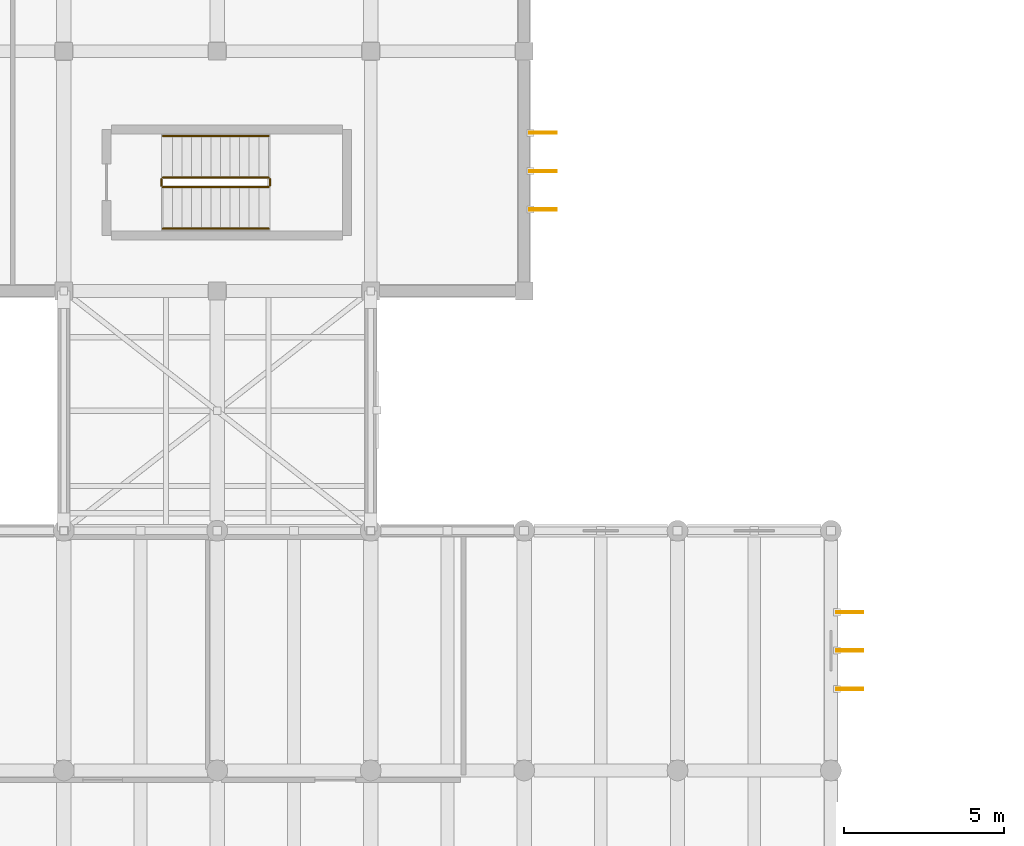
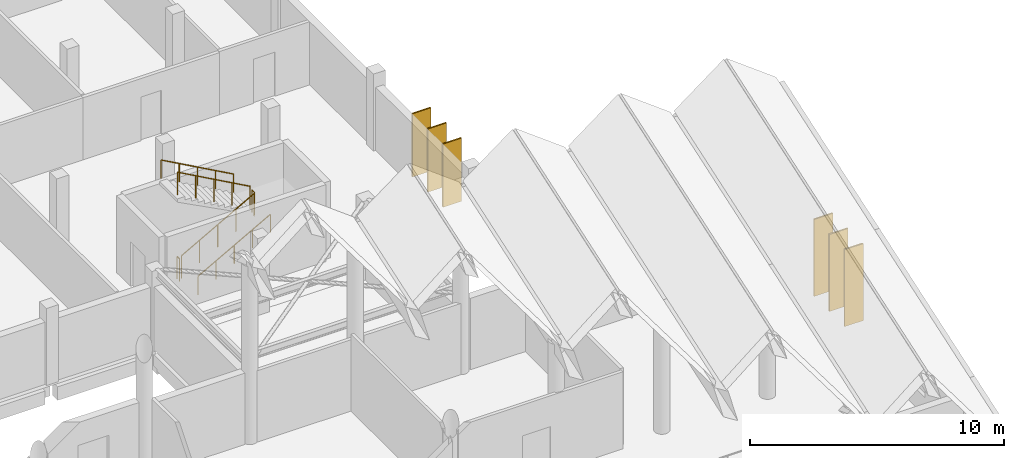
# One storey, part 45 of 47: 6 railings, 6 shading devices.
"""IFC4 building model written with IfcOpenShell, lengths in metres."""

import ifcopenshell
import ifcopenshell.guid

model = None  # the IFC model being written
_history = None  # IfcOwnerHistory: only IFC2X3 demands one
_inside = {}  # id of a spatial element -> (the spatial element, [elements in it])
_under = {}  # id of a project, library or spatial element -> (it, [spatial elements below it])
_declared = {}  # id of a project -> (the project, [libraries it declares])
_typed = {}  # id of a type object -> (the type object, [elements of that type])
_made_of = {}  # id of a material, layer set ... -> (it, [elements and type objects made of it])


def new_model(schema):
    """Start an empty IFC model of exactly this schema.

    Asked for "IFC4X3", IfcOpenShell would pick the latest addendum, in which some entities
    have other attributes; the version numbers below select the first issue.
    IFC2X3 requires an IfcOwnerHistory on every rooted entity: one is made here for all.
    """
    global model, _history
    if schema == "IFC4X3":
        model = ifcopenshell.file(schema_version=(4, 3, 0, 0))
    else:
        model = ifcopenshell.file(schema=schema)
    _inside.clear()
    _under.clear()
    _declared.clear()
    _typed.clear()
    _made_of.clear()
    _history = None
    if model.schema == "IFC2X3":
        org = make("IfcOrganization", Name="unknown")
        user = make(
            "IfcPersonAndOrganization",
            ThePerson=make("IfcPerson", FamilyName="unknown"),
            TheOrganization=org,
        )
        app = make(
            "IfcApplication",
            ApplicationDeveloper=org,
            Version="unknown",
            ApplicationFullName="unknown",
            ApplicationIdentifier="unknown",
        )
        _history = make(
            "IfcOwnerHistory",
            OwningUser=user,
            OwningApplication=app,
            ChangeAction="ADDED",
            CreationDate=0,
        )
    return model


def make(cls, **values):
    """One entity of the class cls with the attributes given. An attribute that is None is left unset."""
    return model.create_entity(
        cls, **{name: value for name, value in values.items() if value is not None}
    )


def rooted(cls, **values):
    """An entity with a GlobalId (a new one), such as an element, a storey or a relation."""
    return make(cls, GlobalId=ifcopenshell.guid.new(), OwnerHistory=_history, **values)


def si_unit(unit_type, name, prefix=None):
    """IfcSIUnit, for example si_unit("LENGTHUNIT", "METRE", prefix="MILLI")."""
    return make("IfcSIUnit", UnitType=unit_type, Prefix=prefix, Name=name)


def assignment(units):
    """IfcUnitAssignment: the units of a project."""
    return None if units is None else make("IfcUnitAssignment", Units=units)


def point(xyz):
    """IfcCartesianPoint."""
    return None if xyz is None else make("IfcCartesianPoint", Coordinates=xyz)


def direction(xyz):
    """IfcDirection."""
    return None if xyz is None else make("IfcDirection", DirectionRatios=xyz)


def frame(location, z_axis=None, x_axis=None):
    """IfcAxis2Placement3D, a coordinate frame: its origin and axes. An axis left out is left unset."""
    return make(
        "IfcAxis2Placement3D",
        Location=point(location),
        Axis=direction(z_axis),
        RefDirection=direction(x_axis),
    )


def frame_2d(location, x_axis=None):
    """IfcAxis2Placement2D, a coordinate frame in the plane: its origin and x axis."""
    return make(
        "IfcAxis2Placement2D", Location=point(location), RefDirection=direction(x_axis)
    )


def origin():
    """The frame at (0, 0, 0) with its axes left unset."""
    return frame((0.0, 0.0, 0.0))


def origin_2d():
    """The frame at (0, 0) in the plane with its x axis left unset."""
    return frame_2d((0.0, 0.0))


def place(relative_to, where):
    """IfcLocalPlacement: puts the frame where relative to a parent placement (None: the world)."""
    return make(
        "IfcLocalPlacement", PlacementRelTo=relative_to, RelativePlacement=where
    )


def context(
    kind, dimensions, precision=None, world=None, true_north=None, identifier=None
):
    """IfcGeometricRepresentationContext, for example the 3D "Model" context."""
    return make(
        "IfcGeometricRepresentationContext",
        ContextIdentifier=identifier,
        ContextType=kind,
        CoordinateSpaceDimension=dimensions,
        Precision=precision,
        WorldCoordinateSystem=world,
        TrueNorth=true_north,
    )


def subcontext(parent, identifier, kind, view, scale=None):
    """IfcGeometricRepresentationSubContext, for example "Body" below "Model"."""
    return make(
        "IfcGeometricRepresentationSubContext",
        ContextIdentifier=identifier,
        ContextType=kind,
        ParentContext=parent,
        TargetScale=scale,
        TargetView=view,
    )


def project(units=None, contexts=None):
    """IfcProject with its units and contexts."""
    return rooted(
        "IfcProject",
        Name="project",
        RepresentationContexts=contexts,
        UnitsInContext=assignment(units),
    )


def spatial(cls, under=None, at=None, **own):
    """A site, building, storey or space (cls), placed at a placement, below another one or the project."""
    s = rooted(cls, ObjectPlacement=at, **own)
    if under is not None:
        _under.setdefault(under.id(), (under, []))[1].append(s)
    return s


def profile(cls, at=None, kind="AREA", **sizes):
    """A parametric profile (cls). Its sizes go by their IFC names, for example OverallWidth=200.0."""
    return make(cls, ProfileType=kind, Position=at, **sizes)


def hollow_rectangle(**sizes):
    """IfcRectangleHollowProfileDef."""
    return profile("IfcRectangleHollowProfileDef", **sizes)


def circle(**sizes):
    """IfcCircleProfileDef."""
    return profile("IfcCircleProfileDef", **sizes)


def extrude(swept, where, along, depth):
    """IfcExtrudedAreaSolid: the profile swept, set in the frame where, extruded along a direction by depth."""
    return make(
        "IfcExtrudedAreaSolid",
        SweptArea=swept,
        Position=where,
        ExtrudedDirection=direction(along),
        Depth=depth,
    )


def shape(context_of_items, identifier, shape_type, items):
    """IfcShapeRepresentation: the items that make up one representation, for example the "Body"."""
    return make(
        "IfcShapeRepresentation",
        ContextOfItems=context_of_items,
        RepresentationIdentifier=identifier,
        RepresentationType=shape_type,
        Items=items,
    )


def material(Name=None, Category=None):
    """IfcMaterial."""
    return make("IfcMaterial", Name=Name, Category=Category)


def material_profile(
    of_material, cross_section, Name=None, Category=None, Priority=None
):
    """IfcMaterialProfile: a cross section and its material."""
    return make(
        "IfcMaterialProfile",
        Name=Name,
        Material=of_material,
        Profile=cross_section,
        Priority=Priority,
        Category=Category,
    )


def profile_set(profiles, Name=None, composite=None):
    """IfcMaterialProfileSet."""
    return make(
        "IfcMaterialProfileSet",
        Name=Name,
        MaterialProfiles=profiles,
        CompositeProfile=composite,
    )


def made_of(thing, what):
    """Note that an element or type object is made of a material, layer set ...; save() writes the relation."""
    if what is not None:
        _made_of.setdefault(what.id(), (what, []))[1].append(thing)
    return thing


def type_object(cls, material=None, **own):
    """A type object (cls), such as IfcWallType, which elements share."""
    return made_of(rooted(cls, **own), material)


def element(
    cls,
    number,
    at=None,
    inside=None,
    cuts=None,
    type_object=None,
    material=None,
    context=None,
    identifier="Body",
    shape_type=None,
    held_by="IfcProductDefinitionShape",
    body=None,
    shapes=None,
    **own,
):
    """One element of the class cls, such as IfcWall. Its Tag is "e" and its number.

    at: its placement. inside: the storey or other place that contains it. cuts: it is an
    opening in that element (IfcRelVoidsElement). A single representation is given by context,
    identifier, shape_type and body (its items); several are given by shapes. held_by: the class
    of the entity that holds the representations. save() writes the other relations.
    """
    e = rooted(cls, Tag="e%d" % number, ObjectPlacement=at, **own)
    if body is not None:
        shapes = [shape(context, identifier, shape_type, body)]
    if shapes is not None:
        e.Representation = make(held_by, Representations=shapes)
    if inside is not None:
        _inside.setdefault(inside.id(), (inside, []))[1].append(e)
    if cuts is not None:
        rooted(
            "IfcRelVoidsElement", RelatingBuildingElement=cuts, RelatedOpeningElement=e
        )
    if type_object is not None:
        _typed.setdefault(type_object.id(), (type_object, []))[1].append(e)
    return made_of(e, material)


def aggregate(whole, parts):
    """IfcRelAggregates: a whole, such as a stair, and the parts it consists of."""
    return rooted("IfcRelAggregates", RelatingObject=whole, RelatedObjects=parts)


def save(model, path):
    """Write the relations noted so far, then the file.

    IfcRelAggregates (storeys below a building ...), IfcRelContainedInSpatialStructure (elements
    in a storey), IfcRelDefinesByType, IfcRelAssociatesMaterial and IfcRelDeclares: one each for
    every whole, place, type object, material and project.
    """
    for whole, parts in _under.values():
        aggregate(whole, parts)
    for where, things in _inside.values():
        rooted(
            "IfcRelContainedInSpatialStructure",
            RelatedElements=things,
            RelatingStructure=where,
        )
    for kind, things in _typed.values():
        rooted("IfcRelDefinesByType", RelatedObjects=things, RelatingType=kind)
    for what, things in _made_of.values():
        rooted("IfcRelAssociatesMaterial", RelatedObjects=things, RelatingMaterial=what)
    for by, libraries in _declared.values():
        rooted("IfcRelDeclares", RelatingContext=by, RelatedDefinitions=libraries)
    model.write(path)


model = new_model("IFC4")

# Units and contexts
model_context = context("Model", 3, precision=1e-05, world=origin(), true_north=direction((0.0, 1.0)))
body_context = subcontext(model_context, "Body", "Model", "MODEL_VIEW")
ifc_project = project(units=[si_unit("LENGTHUNIT", "METRE"), si_unit("AREAUNIT", "SQUARE_METRE"), si_unit("VOLUMEUNIT", "CUBIC_METRE"), si_unit("PLANEANGLEUNIT", "RADIAN"), si_unit("MASSUNIT", "GRAM", prefix="KILO")], contexts=[model_context])

# Site, building, storey
site_placement = place(None, origin())
site = spatial("IfcSite", under=ifc_project, at=site_placement, CompositionType="ELEMENT")
building_placement = place(site_placement, origin())
building = spatial("IfcBuilding", under=site, at=building_placement, Name="Mawjan Specialist Oncology Clinic", CompositionType="ELEMENT")
storey_placement = place(building_placement, frame((0.0, 0.0, 9.5)))
storey = spatial("IfcBuildingStorey", under=building, at=storey_placement, Name="L02", CompositionType="ELEMENT", Elevation=9.5)

# Railings
ifc_material_1 = material(Name="Powder-coated steel stair guard with vertical infill pickets", Category="steel")
railing_type_1 = type_object("IfcRailingType", Name="GR-110", PredefinedType="GUARDRAIL", material=ifc_material_1)
railing_1_placement = place(storey_placement, frame((87.10009765625, 86.550048828125, 0.166748046875)))
element("IfcRailing", 1, at=railing_1_placement, inside=storey, type_object=railing_type_1, Name="L02 ST-04 stair guard 1", PredefinedType="GUARDRAIL", context=body_context, shape_type="SweptSolid", body=[
    extrude(circle(Radius=0.02392578125, at=origin_2d()), frame((0.0, 0.0, 1.076171875), z_axis=(0.874154225373, 0.0, 0.485648422486), x_axis=(0.0, 1.0, 0.0)), (0.0, 0.0, 1.0), 3.77490234375),
    extrude(circle(Radius=0.02099609375, at=origin_2d()), origin(), (0.0, 0.0, 1.0), 1.052001953125),
    extrude(circle(Radius=0.02099609375, at=origin_2d()), frame((0.824951171875, 0.0, 0.458251953125)), (0.0, 0.0, 1.0), 1.052001953125),
    extrude(circle(Radius=0.02099609375, at=origin_2d()), frame((1.64990234375, 0.0, 0.91650390625)), (0.0, 0.0, 1.0), 1.052001953125),
    extrude(circle(Radius=0.02099609375, at=origin_2d()), frame((2.474853515625, 0.0, 1.375)), (0.0, 0.0, 1.0), 1.052001953125),
    extrude(circle(Radius=0.02099609375, at=origin_2d()), frame((3.2998046875, 0.0, 1.833251953125)), (0.0, 0.0, 1.0), 1.052001953125),
])
railing_2_placement = place(storey_placement, frame((90.449951171875, 86.60009765625, 2.0)))
element("IfcRailing", 2, at=railing_2_placement, inside=storey, type_object=railing_type_1, Name="L02 ST-04 stair guard 2", PredefinedType="GUARDRAIL", context=body_context, shape_type="SweptSolid", body=[
    extrude(circle(Radius=0.02392578125, at=origin_2d()), frame((0.0, 0.0, 1.076171875), z_axis=(0.0, 1.0, 0.0), x_axis=(-1.0, 0.0, 0.0)), (0.0, 0.0, 1.0), 0.199951171875),
    extrude(circle(Radius=0.02099609375, at=origin_2d()), origin(), (0.0, 0.0, 1.0), 1.052001953125),
    extrude(circle(Radius=0.02099609375, at=origin_2d()), frame((0.0, 0.199951171875, 0.0)), (0.0, 0.0, 1.0), 1.052001953125),
])
railing_3_placement = place(storey_placement, frame((90.39990234375, 86.85009765625, 2.166748046875)))
element("IfcRailing", 3, at=railing_3_placement, inside=storey, type_object=railing_type_1, Name="L02 ST-04 stair guard 3", PredefinedType="GUARDRAIL", context=body_context, shape_type="SweptSolid", body=[
    extrude(circle(Radius=0.02392578125, at=origin_2d()), frame((0.0, 0.0, 1.076171875), z_axis=(-0.874154225373, 0.0, 0.485648422486), x_axis=(0.0, -1.0, 0.0)), (0.0, 0.0, 1.0), 3.77490234375),
    extrude(circle(Radius=0.02099609375, at=origin_2d()), origin(), (0.0, 0.0, 1.0), 1.052001953125),
    extrude(circle(Radius=0.02099609375, at=origin_2d()), frame((-0.824951171875, 0.0, 0.458251953125)), (0.0, 0.0, 1.0), 1.052001953125),
    extrude(circle(Radius=0.02099609375, at=origin_2d()), frame((-1.64990234375, 0.0, 0.91650390625)), (0.0, 0.0, 1.0), 1.052001953125),
    extrude(circle(Radius=0.02099609375, at=origin_2d()), frame((-2.474853515625, 0.0, 1.375)), (0.0, 0.0, 1.0), 1.052001953125),
    extrude(circle(Radius=0.02099609375, at=origin_2d()), frame((-3.2998046875, 0.0, 1.833251953125)), (0.0, 0.0, 1.0), 1.052001953125),
])
railing_4_placement = place(storey_placement, frame((87.050048828125, 86.60009765625, 0.0)))
element("IfcRailing", 4, at=railing_4_placement, inside=storey, type_object=railing_type_1, Name="L02 ST-04 stair guard 4", PredefinedType="GUARDRAIL", context=body_context, shape_type="SweptSolid", body=[
    extrude(circle(Radius=0.02392578125, at=origin_2d()), frame((0.0, 0.0, 1.076171875), z_axis=(0.0, 1.0, 0.0), x_axis=(-1.0, 0.0, 0.0)), (0.0, 0.0, 1.0), 0.199951171875),
    extrude(circle(Radius=0.02099609375, at=origin_2d()), origin(), (0.0, 0.0, 1.0), 1.052001953125),
    extrude(circle(Radius=0.02099609375, at=origin_2d()), frame((0.0, 0.199951171875, 0.0)), (0.0, 0.0, 1.0), 1.052001953125),
])
ifc_material_2 = material(Name="Brushed stainless-steel tubular handrail", Category="steel")
railing_type_2 = type_object("IfcRailingType", Name="HR-090", PredefinedType="HANDRAIL", material=ifc_material_2)
railing_5_placement = place(storey_placement, frame((87.10009765625, 85.25, 0.166748046875)))
element("IfcRailing", 5, at=railing_5_placement, inside=storey, type_object=railing_type_2, Name="L02 ST-04 stair handrail 1", PredefinedType="HANDRAIL", context=body_context, shape_type="SweptSolid", body=[
    extrude(circle(Radius=0.02392578125, at=origin_2d()), frame((0.0, 0.0, 0.8759765625), z_axis=(0.874154225373, 0.0, 0.485648422486), x_axis=(0.0, 1.0, 0.0)), (0.0, 0.0, 1.0), 3.77490234375),
    extrude(circle(Radius=0.02099609375, at=origin_2d()), origin(), (0.0, 0.0, 1.0), 0.851806640625),
    extrude(circle(Radius=0.02099609375, at=origin_2d()), frame((0.824951171875, 0.0, 0.458251953125)), (0.0, 0.0, 1.0), 0.851806640625),
    extrude(circle(Radius=0.02099609375, at=origin_2d()), frame((1.64990234375, 0.0, 0.91650390625)), (0.0, 0.0, 1.0), 0.851806640625),
    extrude(circle(Radius=0.02099609375, at=origin_2d()), frame((2.474853515625, 0.0, 1.375)), (0.0, 0.0, 1.0), 0.851806640625),
    extrude(circle(Radius=0.02099609375, at=origin_2d()), frame((3.2998046875, 0.0, 1.833251953125)), (0.0, 0.0, 1.0), 0.851806640625),
])
railing_6_placement = place(storey_placement, frame((90.39990234375, 88.14990234375, 2.166748046875)))
element("IfcRailing", 6, at=railing_6_placement, inside=storey, type_object=railing_type_2, Name="L02 ST-04 stair handrail 2", PredefinedType="HANDRAIL", context=body_context, shape_type="SweptSolid", body=[
    extrude(circle(Radius=0.02392578125, at=origin_2d()), frame((0.0, 0.0, 0.8759765625), z_axis=(-0.874154225373, 0.0, 0.485648422486), x_axis=(0.0, -1.0, 0.0)), (0.0, 0.0, 1.0), 3.77490234375),
    extrude(circle(Radius=0.02099609375, at=origin_2d()), origin(), (0.0, 0.0, 1.0), 0.851806640625),
    extrude(circle(Radius=0.02099609375, at=origin_2d()), frame((-0.824951171875, 0.0, 0.458251953125)), (0.0, 0.0, 1.0), 0.851806640625),
    extrude(circle(Radius=0.02099609375, at=origin_2d()), frame((-1.64990234375, 0.0, 0.91650390625)), (0.0, 0.0, 1.0), 0.851806640625),
    extrude(circle(Radius=0.02099609375, at=origin_2d()), frame((-2.474853515625, 0.0, 1.375)), (0.0, 0.0, 1.0), 0.851806640625),
    extrude(circle(Radius=0.02099609375, at=origin_2d()), frame((-3.2998046875, 0.0, 1.833251953125)), (0.0, 0.0, 1.0), 0.851806640625),
])

# Shading devices
ifc_material_3 = material(Name="Bronze-anodised aluminium 6063-T6", Category="aluminium")
ifc_material_profile = material_profile(ifc_material_3, hollow_rectangle(XDim=0.070068359375, YDim=0.85009765625, WallThickness=0.0048828125, at=origin_2d()), Name="FIN 850x70x5", Category="aluminium")
ifc_profile_set = profile_set([ifc_material_profile], Name="Bronze-anodised aluminium 6063-T6")
shading_device_type = type_object("IfcShadingDeviceType", Name="SF-850", PredefinedType="USERDEFINED", material=ifc_profile_set)
for number, where, z_axis, x_axis, name in (
    (7, (98.989990234375, 88.25, 0.0), (0.0, 0.0, 1.0), (0.0, -1.0, 0.0), "L02 Vertical Solar Fin SF-0041"),
    (8, (98.989990234375, 87.050048828125, 0.0), (0.0, 0.0, 1.0), (0.0, -1.0, 0.0), "L02 Vertical Solar Fin SF-0042"),
    (9, (98.989990234375, 85.85009765625, 0.0), (0.0, 0.0, 1.0), (0.0, -1.0, 0.0), "L02 Vertical Solar Fin SF-0043"),
):
    element("IfcShadingDevice", number, at=place(storey_placement, frame(where, z_axis=z_axis, x_axis=x_axis)), inside=storey, type_object=shading_device_type, Name=name, ObjectType="SOLAR FIN", PredefinedType="USERDEFINED", context=body_context, shape_type="SweptSolid", body=[
        extrude(hollow_rectangle(XDim=0.070068359375, YDim=0.85009765625, WallThickness=0.0048828125, at=origin_2d()), origin(), (0.0, 0.0, 1.0), 3.034912109375),
    ])
for number, where, z_axis, x_axis, name in (
    (10, (108.590087890625, 73.25, 0.0), (0.0, 0.0, 1.0), (0.0, -1.0, 0.0), "L02 Vertical Solar Fin SF-0044"),
    (11, (108.590087890625, 72.050048828125, 0.0), (0.0, 0.0, 1.0), (0.0, -1.0, 0.0), "L02 Vertical Solar Fin SF-0045"),
    (12, (108.590087890625, 70.85009765625, 0.0), (0.0, 0.0, 1.0), (0.0, -1.0, 0.0), "L02 Vertical Solar Fin SF-0046"),
):
    element("IfcShadingDevice", number, at=place(storey_placement, frame(where, z_axis=z_axis, x_axis=x_axis)), inside=storey, type_object=shading_device_type, Name=name, ObjectType="SOLAR FIN", PredefinedType="USERDEFINED", context=body_context, shape_type="SweptSolid", body=[
        extrude(hollow_rectangle(XDim=0.070068359375, YDim=0.85009765625, WallThickness=0.0048828125, at=origin_2d()), origin(), (0.0, 0.0, 1.0), 3.699951171875),
    ])

save(model, "model.ifc")
